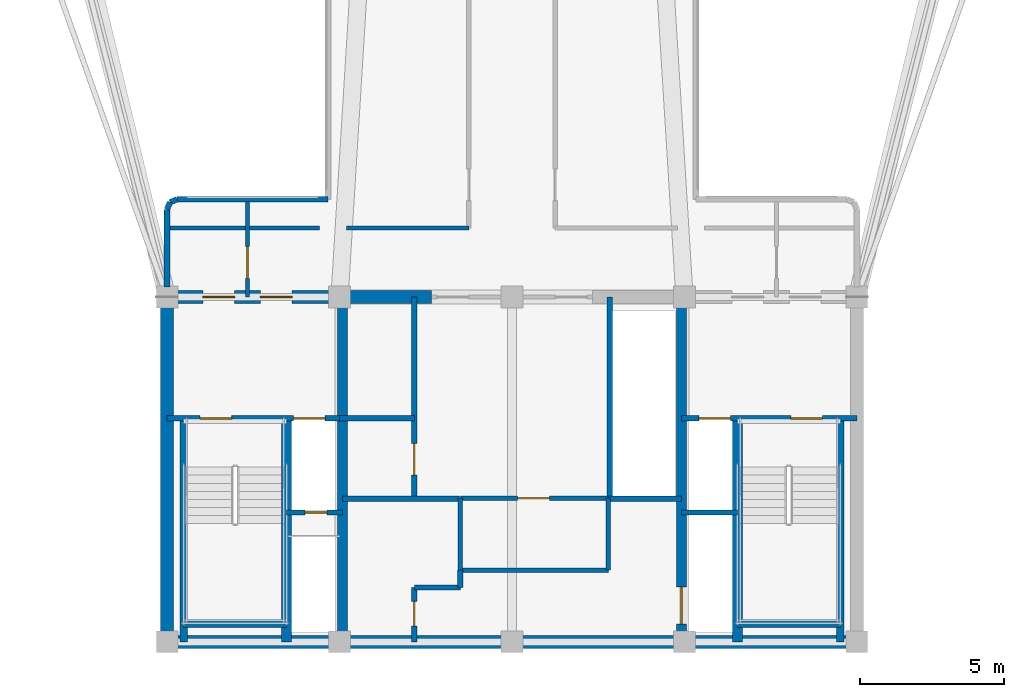
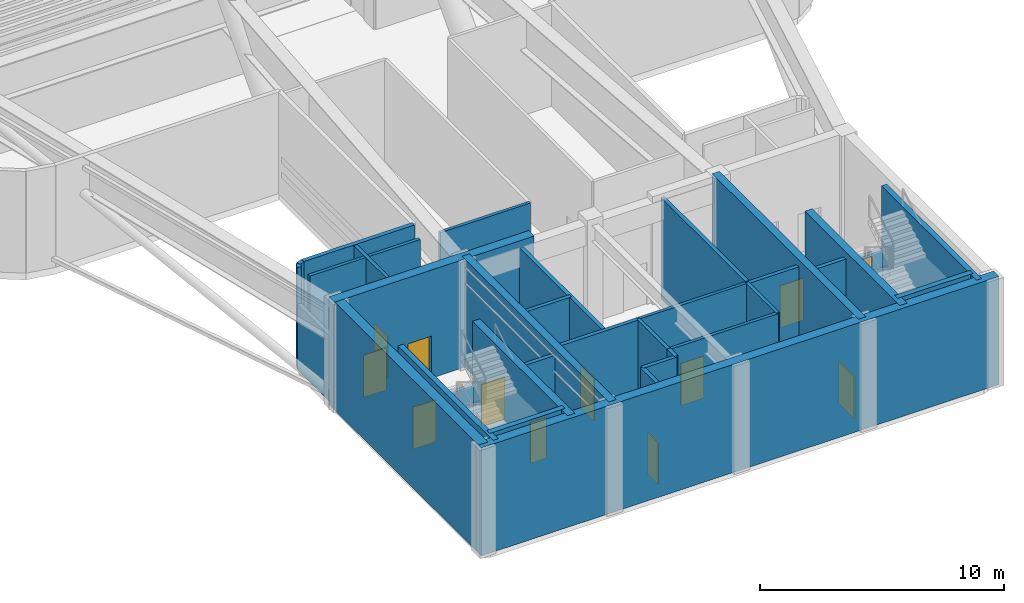
# One storey, part 5 of 11: 34 walls, 12 doors, 12 openings.
"""IFC4 building model written with IfcOpenShell, lengths in metres."""

from ifc_helpers import new_model, si_unit, direction, frame, frame_2d, origin, origin_2d, place, context, subcontext, project, spatial, rectangle, extrude, source, transform, mapped, material, layer, layer_set, type_object, element, fill, save


model = new_model("IFC4")

# Units and contexts
model_context = context("Model", 3, precision=1e-05, world=origin(), true_north=direction((0.0, 1.0)))
body_context = subcontext(model_context, "Body", "Model", "MODEL_VIEW")
ifc_project = project(units=[si_unit("LENGTHUNIT", "METRE"), si_unit("AREAUNIT", "SQUARE_METRE"), si_unit("VOLUMEUNIT", "CUBIC_METRE"), si_unit("PLANEANGLEUNIT", "RADIAN"), si_unit("MASSUNIT", "GRAM", prefix="KILO")], contexts=[model_context])

# Site, building, storey
site_placement = place(None, origin())
site = spatial("IfcSite", under=ifc_project, at=site_placement, CompositionType="ELEMENT")
building_placement = place(site_placement, origin())
building = spatial("IfcBuilding", under=site, at=building_placement, Name="Brelvock Crest Care Tower", CompositionType="ELEMENT")
storey_placement = place(building_placement, frame((0.0, 0.0, 213.1201171875)))
storey = spatial("IfcBuildingStorey", under=building, at=storey_placement, Name="L54", CompositionType="ELEMENT", Elevation=213.1201171875)

# Walls
ifc_material_1 = material(Name="Concrete S65 (65 MPa)", Category="concrete")
ifc_layer_1 = layer(ifc_material_1, 0.449951171875, Name="WL-CS3")
ifc_layer_set_1 = layer_set([ifc_layer_1], Name="Concrete S65 (65 MPa)")
wall_type_1 = type_object("IfcWallType", Name="WL-CS3", PredefinedType="SHEAR", material=ifc_layer_set_1)
wall_1_placement = place(storey_placement, frame((48.22509765625, 6.0, 0.0), z_axis=(0.0, 0.0, 1.0), x_axis=(-1.0, 0.0, 0.0)))
element("IfcWall", 1, at=wall_1_placement, inside=storey, type_object=wall_type_1, Name="L54 Core South Shear Wall", PredefinedType="SHEAR", context=body_context, shape_type="SweptSolid", body=[
    extrude(rectangle(XDim=24.4501953125, YDim=0.449951171875, at=frame_2d((12.22509765625, 0.0))), origin(), (0.0, 0.0, 1.0), 5.39990234375),
])
wall_2_placement = place(storey_placement, frame((24.0, 6.0, 0.0), z_axis=(0.0, 0.0, 1.0), x_axis=(0.0, 1.0, 0.0)))
element("IfcWall", 2, at=wall_2_placement, inside=storey, type_object=wall_type_1, Name="L54 Core West Shear Wall", PredefinedType="SHEAR", context=body_context, shape_type="SweptSolid", body=[
    extrude(rectangle(XDim=12.0, YDim=0.449951171875, at=frame_2d((6.0, 0.0))), origin(), (0.0, 0.0, 1.0), 5.39990234375),
])

# Wall, openings, doors
wall_3_placement = place(storey_placement, frame((23.77490234375, 18.0, 0.0), z_axis=(0.0, 0.0, 1.0), x_axis=(1.0, 0.0, 0.0)))
wall_3 = element("IfcWall", 3, at=wall_3_placement, inside=storey, type_object=wall_type_1, Name="L54 Core North-West Shear Wall", PredefinedType="SHEAR", context=body_context, shape_type="SweptSolid", body=[
    extrude(rectangle(XDim=9.425048828125, YDim=0.449951171875, at=frame_2d((4.71240234375, 0.0))), origin(), (0.0, 0.0, 1.0), 5.39990234375),
])
opening_1_placement = place(wall_3_placement, frame((1.47509765625, 0.0, 0.0)))
opening_1 = element("IfcOpeningElement", 4, at=opening_1_placement, cuts=wall_3, Name="Opening FD-1", PredefinedType="OPENING", context=body_context, shape_type="SweptSolid", body=[
    extrude(rectangle(XDim=1.10009765625, YDim=2.10009765625, at=origin_2d()), frame((0.550048828125, 0.23486328125, 1.050048828125), z_axis=(0.0, -1.0, 0.0), x_axis=(1.0, 0.0, 0.0)), (0.0, 0.0, 1.0), 0.469970703125),
])
opening_2_placement = place(wall_3_placement, frame((3.47509765625, 0.0, 0.0)))
opening_2 = element("IfcOpeningElement", 5, at=opening_2_placement, cuts=wall_3, Name="Opening FD-1", PredefinedType="OPENING", context=body_context, shape_type="SweptSolid", body=[
    extrude(rectangle(XDim=1.10009765625, YDim=2.10009765625, at=origin_2d()), frame((0.550048828125, 0.23486328125, 1.050048828125), z_axis=(0.0, -1.0, 0.0), x_axis=(1.0, 0.0, 0.0)), (0.0, 0.0, 1.0), 0.469970703125),
])
ifc_material_2 = material(Name="Steel Grade 350", Category="steel")
door_type_1 = type_object("IfcDoorType", Name="DR-FFL1", OperationType="NOTDEFINED", PredefinedType="DOOR", material=ifc_material_2)
shared_shape_1 = source(origin(), body_context, "Body", "SweptSolid", [
    extrude(rectangle(XDim=1.10009765625, YDim=2.10009765625, at=origin_2d()), frame((0.550048828125, 0.02490234375, 1.050048828125), z_axis=(0.0, -1.0, 0.0), x_axis=(1.0, 0.0, 0.0)), (0.0, 0.0, 1.0), 0.050048828125),
])
door_1_placement = place(opening_1_placement, origin())
door_1 = element("IfcDoor", 6, at=door_1_placement, inside=storey, type_object=door_type_1, Name="L54 Firefighting Lobby FFL-1 Refuge Door", OperationType="SINGLE_SWING_LEFT", OverallHeight=2.10009765625, OverallWidth=1.10009765625, PredefinedType="DOOR", context=body_context, shape_type="MappedRepresentation", body=[
    mapped(shared_shape_1, transform((0.0, 0.0, 0.0), x_axis=(1.0, 0.0, 0.0), y_axis=(0.0, 1.0, 0.0), z_axis=(0.0, 0.0, 1.0), scale=1.0)),
])
fill(opening_1, door_1)
door_2_placement = place(opening_2_placement, origin())
door_2 = element("IfcDoor", 7, at=door_2_placement, inside=storey, type_object=door_type_1, Name="L54 Firefighting Lobby FFL-1 Corridor Exit Door", OperationType="SINGLE_SWING_RIGHT", OverallHeight=2.10009765625, OverallWidth=1.10009765625, PredefinedType="DOOR", context=body_context, shape_type="MappedRepresentation", body=[
    mapped(shared_shape_1, transform((0.0, 0.0, 0.0), x_axis=(1.0, 0.0, 0.0), y_axis=(0.0, 1.0, 0.0), z_axis=(0.0, 0.0, 1.0), scale=1.0)),
])
fill(opening_2, door_2)

# Wall
ifc_material_3 = material(Name="Concrete S80 (80 MPa)", Category="concrete")
ifc_layer_2 = layer(ifc_material_3, 0.35009765625, Name="WL-CS5")
ifc_layer_set_2 = layer_set([ifc_layer_2], Name="Concrete S80 (80 MPa)")
wall_type_2 = type_object("IfcWallType", Name="WL-CS5", PredefinedType="SHEAR", material=ifc_layer_set_2)
wall_4_placement = place(storey_placement, frame((30.10009765625, 6.0, 0.0), z_axis=(0.0, 0.0, 1.0), x_axis=(0.0, 1.0, 0.0)))
element("IfcWall", 8, at=wall_4_placement, inside=storey, type_object=wall_type_2, Name="L54 Core Internal Web Wall West", PredefinedType="SHEAR", context=body_context, shape_type="SweptSolid", body=[
    extrude(rectangle(XDim=12.0, YDim=0.35009765625, at=frame_2d((6.0, 0.0))), origin(), (0.0, 0.0, 1.0), 5.39990234375),
])

# Wall, opening, door
wall_5_placement = place(storey_placement, frame((41.89990234375, 18.0, 0.0), z_axis=(0.0, 0.0, 1.0), x_axis=(0.0, -1.0, 0.0)))
wall_5 = element("IfcWall", 9, at=wall_5_placement, inside=storey, type_object=wall_type_2, Name="L54 Core Internal Web Wall East", PredefinedType="SHEAR", context=body_context, shape_type="SweptSolid", body=[
    extrude(rectangle(XDim=12.0, YDim=0.35009765625, at=frame_2d((6.0, 0.0))), origin(), (0.0, 0.0, 1.0), 5.39990234375),
])
opening_3_placement = place(wall_5_placement, frame((10.080078125, 0.0, 0.0)))
opening_3 = element("IfcOpeningElement", 10, at=opening_3_placement, cuts=wall_5, Name="Opening LD-S", PredefinedType="OPENING", context=body_context, shape_type="SweptSolid", body=[
    extrude(rectangle(XDim=1.300048828125, YDim=2.10009765625, at=origin_2d()), frame((0.64990234375, 0.18505859375, 1.050048828125), z_axis=(0.0, -1.0, 0.0), x_axis=(1.0, 0.0, 0.0)), (0.0, 0.0, 1.0), 0.3701171875),
])
door_type_2 = type_object("IfcDoorType", Name="DR-LDS1", OperationType="NOTDEFINED", PredefinedType="DOOR", material=ifc_material_2)
shared_shape_2 = source(origin(), body_context, "Body", "SweptSolid", [
    extrude(rectangle(XDim=1.300048828125, YDim=2.10009765625, at=origin_2d()), frame((0.64990234375, 0.02490234375, 1.050048828125), z_axis=(0.0, -1.0, 0.0), x_axis=(1.0, 0.0, 0.0)), (0.0, 0.0, 1.0), 0.050048828125),
])
door_3_placement = place(opening_3_placement, origin())
door_3 = element("IfcDoor", 11, at=door_3_placement, inside=storey, type_object=door_type_2, Name="L54 Clinical Bed Lift SL-1 Landing Door", OperationType="SLIDING_TO_LEFT", OverallHeight=2.10009765625, OverallWidth=1.300048828125, PredefinedType="DOOR", context=body_context, shape_type="MappedRepresentation", body=[
    mapped(shared_shape_2, transform((0.0, 0.0, 0.0), x_axis=(1.0, 0.0, 0.0), y_axis=(0.0, 1.0, 0.0), z_axis=(0.0, 0.0, 1.0), scale=1.0)),
])
fill(opening_3, door_3)

# Walls
for number, where, z_axis, x_axis, name in (
    (12, (28.14990234375, 6.0, 0.0), (0.0, 0.0, 1.0), (0.0, 1.0, 0.0), "L54 Core Stair ST-1 East Shear Wall"),
    (13, (43.85009765625, 6.0, 0.0), (0.0, 0.0, 1.0), (0.0, 1.0, 0.0), "L54 Core Stair ST-2 West Shear Wall"),
):
    element("IfcWall", number, at=place(storey_placement, frame(where, z_axis=z_axis, x_axis=x_axis)), inside=storey, type_object=wall_type_2, Name=name, PredefinedType="SHEAR", context=body_context, shape_type="SweptSolid", body=[
        extrude(rectangle(XDim=7.780029296875, YDim=0.35009765625, at=frame_2d((3.89013671875, 0.0))), origin(), (0.0, 0.0, 1.0), 5.39990234375),
    ])
ifc_layer_3 = layer(ifc_material_3, 0.25, Name="WL-CS6")
ifc_layer_set_3 = layer_set([ifc_layer_3], Name="Concrete S80 (80 MPa)")
wall_type_3 = type_object("IfcWallType", Name="WL-CS6", PredefinedType="SHEAR", material=ifc_layer_set_3)
wall_6_placement = place(storey_placement, frame((24.580078125, 6.0, 0.0), z_axis=(0.0, 0.0, 1.0), x_axis=(0.0, 1.0, 0.0)))
element("IfcWall", 14, at=wall_6_placement, inside=storey, type_object=wall_type_3, Name="L54 Core Stair ST-1 West Shear Wall", PredefinedType="SHEAR", context=body_context, shape_type="SweptSolid", body=[
    extrude(rectangle(XDim=7.780029296875, YDim=0.25, at=frame_2d((3.89013671875, 0.0))), origin(), (0.0, 0.0, 1.0), 5.39990234375),
])
wall_7_placement = place(storey_placement, frame((24.580078125, 6.6201171875, 0.0), z_axis=(0.0, 0.0, 1.0), x_axis=(1.0, 0.0, 0.0)))
element("IfcWall", 15, at=wall_7_placement, inside=storey, type_object=wall_type_3, Name="L54 Core Stair ST-1 South Shear Wall", PredefinedType="SHEAR", context=body_context, shape_type="SweptSolid", body=[
    extrude(rectangle(XDim=3.56982421875, YDim=0.25, at=frame_2d((1.784912109375, 0.0))), origin(), (0.0, 0.0, 1.0), 5.39990234375),
])
wall_8_placement = place(storey_placement, frame((47.419921875, 6.0, 0.0), z_axis=(0.0, 0.0, 1.0), x_axis=(0.0, 1.0, 0.0)))
element("IfcWall", 16, at=wall_8_placement, inside=storey, type_object=wall_type_3, Name="L54 Core Stair ST-2 East Shear Wall", PredefinedType="SHEAR", context=body_context, shape_type="SweptSolid", body=[
    extrude(rectangle(XDim=7.780029296875, YDim=0.25, at=frame_2d((3.89013671875, 0.0))), origin(), (0.0, 0.0, 1.0), 5.39990234375),
])
wall_9_placement = place(storey_placement, frame((43.85009765625, 6.6201171875, 0.0), z_axis=(0.0, 0.0, 1.0), x_axis=(1.0, 0.0, 0.0)))
element("IfcWall", 17, at=wall_9_placement, inside=storey, type_object=wall_type_3, Name="L54 Core Stair ST-2 South Shear Wall", PredefinedType="SHEAR", context=body_context, shape_type="SweptSolid", body=[
    extrude(rectangle(XDim=3.56982421875, YDim=0.25, at=frame_2d((1.784912109375, 0.0))), origin(), (0.0, 0.0, 1.0), 5.39990234375),
])
ifc_material_4 = material(Name="Precast concrete N40 (40 MPa)", Category="concrete")
ifc_layer_4 = layer(ifc_material_4, 0.195068359375, Name="WL-EX3")
ifc_layer_set_4 = layer_set([ifc_layer_4], Name="Precast concrete N40 (40 MPa)")
wall_type_4 = type_object("IfcWallType", Name="WL-EX3", PredefinedType="SOLIDWALL", material=ifc_layer_set_4)
wall_10_placement = place(storey_placement, frame((24.0, 18.35498046875, 0.0), z_axis=(0.0, 0.0, 1.0), x_axis=(0.0, 1.0, 0.0)))
element("IfcWall", 18, at=wall_10_placement, inside=storey, type_object=wall_type_4, Name="L54 Crown and Plant Cladding Wall 07", PredefinedType="SOLIDWALL", context=body_context, shape_type="SweptSolid", body=[
    extrude(rectangle(XDim=2.695068359375, YDim=0.195068359375, at=frame_2d((1.34765625, 0.0))), origin(), (0.0, 0.0, 1.0), 3.267822265625),
])
wall_11_placement = place(storey_placement, frame((24.0, 21.050048828125, 0.0), z_axis=(0.0, 0.0, 1.0), x_axis=(0.382673670509, 0.923883575944, 0.0)))
element("IfcWall", 19, at=wall_11_placement, inside=storey, type_object=wall_type_4, Name="L54 Crown and Plant Cladding Wall 08", PredefinedType="SOLIDWALL", context=body_context, shape_type="SweptSolid", body=[
    extrude(rectangle(XDim=0.26806640625, YDim=0.195068359375, at=frame_2d((0.134033203125, 0.0))), origin(), (0.0, 0.0, 1.0), 5.079833984375),
])
wall_12_placement = place(storey_placement, frame((24.1025390625, 21.297607421875, 0.0), z_axis=(0.0, 0.0, 1.0), x_axis=(0.924205486139, 0.381895560841, 0.0)))
element("IfcWall", 20, at=wall_12_placement, inside=storey, type_object=wall_type_4, Name="L54 Crown and Plant Cladding Wall 09", PredefinedType="SOLIDWALL", context=body_context, shape_type="SweptSolid", body=[
    extrude(rectangle(XDim=0.267822265625, YDim=0.195068359375, at=frame_2d((0.1337890625, 0.0))), origin(), (0.0, 0.0, 1.0), 5.079833984375),
])
wall_13_placement = place(storey_placement, frame((24.35009765625, 21.39990234375, 0.0), z_axis=(0.0, 0.0, 1.0), x_axis=(1.0, 0.0, 0.0)))
element("IfcWall", 21, at=wall_13_placement, inside=storey, type_object=wall_type_4, Name="L54 Crown and Plant Cladding Wall 10", PredefinedType="SOLIDWALL", context=body_context, shape_type="SweptSolid", body=[
    extrude(rectangle(XDim=5.25, YDim=0.195068359375, at=frame_2d((2.625, 0.0))), origin(), (0.0, 0.0, 1.0), 5.079833984375),
])
ifc_material_5 = material(Name="Masonry Blockwork Acoustic Partition", Category="masonry")
ifc_layer_5 = layer(ifc_material_5, 0.14990234375, Name="WL-INT1")
ifc_layer_set_5 = layer_set([ifc_layer_5], Name="Masonry Blockwork Acoustic Partition")
wall_type_5 = type_object("IfcWallType", Name="WL-INT1", PredefinedType="PARTITIONING", material=ifc_layer_set_5)
wall_14_placement = place(storey_placement, frame((34.199951171875, 8.5, 0.0), z_axis=(0.0, 0.0, 1.0), x_axis=(1.0, 0.0, 0.0)))
element("IfcWall", 22, at=wall_14_placement, inside=storey, type_object=wall_type_5, Name="L54 Interior Wall WL-CRCM-S-L54", PredefinedType="PARTITIONING", context=body_context, shape_type="SweptSolid", body=[
    extrude(rectangle(XDim=5.150146484375, YDim=0.14990234375, at=frame_2d((2.5751953125, 0.0))), origin(), (0.0, 0.0, 1.0), 5.0498046875),
])
for number, where, z_axis, x_axis, name in (
    (23, (34.199951171875, 8.5, 0.0), (0.0, 0.0, 1.0), (0.0, 1.0, 0.0), "L54 Interior Wall WL-CRCM-W-L54"),
    (24, (39.35009765625, 8.5, 0.0), (0.0, 0.0, 1.0), (0.0, 1.0, 0.0), "L54 Interior Wall WL-CRCM-E-L54"),
):
    element("IfcWall", number, at=place(storey_placement, frame(where, z_axis=z_axis, x_axis=x_axis)), inside=storey, type_object=wall_type_5, Name=name, PredefinedType="PARTITIONING", context=body_context, shape_type="SweptSolid", body=[
        extrude(rectangle(XDim=2.5, YDim=0.14990234375, at=frame_2d((1.25, 0.0))), origin(), (0.0, 0.0, 1.0), 5.0498046875),
    ])

# Wall, opening, door
wall_15_placement = place(storey_placement, frame((34.199951171875, 11.0, 0.0), z_axis=(0.0, 0.0, 1.0), x_axis=(1.0, 0.0, 0.0)))
wall_15 = element("IfcWall", 25, at=wall_15_placement, inside=storey, type_object=wall_type_5, Name="L54 Interior Wall WL-CRCM-N-L54", PredefinedType="PARTITIONING", context=body_context, shape_type="SweptSolid", body=[
    extrude(rectangle(XDim=5.150146484375, YDim=0.14990234375, at=frame_2d((2.5751953125, 0.0))), origin(), (0.0, 0.0, 1.0), 5.0498046875),
])
opening_4_placement = place(wall_15_placement, frame((2.0, 0.0, 0.0)))
opening_4 = element("IfcOpeningElement", 26, at=opening_4_placement, cuts=wall_15, Name="Opening PD-1", PredefinedType="OPENING", context=body_context, shape_type="SweptSolid", body=[
    extrude(rectangle(XDim=1.10009765625, YDim=2.10009765625, at=origin_2d()), frame((0.550048828125, 0.0849609375, 1.050048828125), z_axis=(0.0, -1.0, 0.0), x_axis=(1.0, 0.0, 0.0)), (0.0, 0.0, 1.0), 0.169921875),
])
door_type_3 = type_object("IfcDoorType", Name="DR-PLT1", OperationType="NOTDEFINED", PredefinedType="DOOR", material=ifc_material_2)
shared_shape_3 = source(origin(), body_context, "Body", "SweptSolid", [
    extrude(rectangle(XDim=1.10009765625, YDim=2.10009765625, at=origin_2d()), frame((0.550048828125, 0.02490234375, 1.050048828125), z_axis=(0.0, -1.0, 0.0), x_axis=(1.0, 0.0, 0.0)), (0.0, 0.0, 1.0), 0.050048828125),
])
door_4_placement = place(opening_4_placement, origin())
door_4 = element("IfcDoor", 27, at=door_4_placement, inside=storey, type_object=door_type_3, Name="DR-CRCM1-L54", OperationType="SINGLE_SWING_LEFT", OverallHeight=2.10009765625, OverallWidth=1.10009765625, PredefinedType="DOOR", context=body_context, shape_type="MappedRepresentation", body=[
    mapped(shared_shape_3, transform((0.0, 0.0, 0.0), x_axis=(1.0, 0.0, 0.0), y_axis=(0.0, 1.0, 0.0), z_axis=(0.0, 0.0, 1.0), scale=1.0)),
])
fill(opening_4, door_4)

# Walls
wall_16_placement = place(storey_placement, frame((24.080078125, 20.39990234375, 0.0), z_axis=(0.0, 0.0, 1.0), x_axis=(1.0, 0.0, 0.0)))
element("IfcWall", 28, at=wall_16_placement, inside=storey, type_object=wall_type_5, Name="L54 Interior Wall WL-BX-L54-REFW-N", PredefinedType="PARTITIONING", context=body_context, shape_type="SweptSolid", body=[
    extrude(rectangle(XDim=5.219970703125, YDim=0.14990234375, at=frame_2d((2.60986328125, 0.0))), origin(), (0.0, 0.0, 1.0), 5.0498046875),
])
wall_17_placement = place(storey_placement, frame((30.25, 20.39990234375, 0.0), z_axis=(0.0, 0.0, 1.0), x_axis=(1.0, 0.0, 0.0)))
element("IfcWall", 29, at=wall_17_placement, inside=storey, type_object=wall_type_5, Name="L54 Interior Wall WL-BX-L54-REFNW-S", PredefinedType="PARTITIONING", context=body_context, shape_type="SweptSolid", body=[
    extrude(rectangle(XDim=4.25, YDim=0.14990234375, at=frame_2d((2.125, 0.0))), origin(), (0.0, 0.0, 1.0), 5.0498046875),
])

# Wall, opening, door
wall_18_placement = place(storey_placement, frame((26.800048828125, 18.0, 0.0), z_axis=(0.0, 0.0, 1.0), x_axis=(0.0, 1.0, 0.0)))
wall_18 = element("IfcWall", 30, at=wall_18_placement, inside=storey, type_object=wall_type_5, Name="L54 Interior Wall WL-RM-L54-REFW", PredefinedType="PARTITIONING", context=body_context, shape_type="SweptSolid", body=[
    extrude(rectangle(XDim=3.320068359375, YDim=0.14990234375, at=frame_2d((1.66015625, 0.0))), origin(), (0.0, 0.0, 1.0), 5.0498046875),
])
opening_5_placement = place(wall_18_placement, frame((0.64990234375, 0.0, 0.0)))
opening_5 = element("IfcOpeningElement", 31, at=opening_5_placement, cuts=wall_18, Name="Opening PD-1", PredefinedType="OPENING", context=body_context, shape_type="SweptSolid", body=[
    extrude(rectangle(XDim=1.10009765625, YDim=2.10009765625, at=origin_2d()), frame((0.550048828125, 0.0849609375, 1.050048828125), z_axis=(0.0, -1.0, 0.0), x_axis=(1.0, 0.0, 0.0)), (0.0, 0.0, 1.0), 0.169921875),
])
door_5_placement = place(opening_5_placement, origin())
door_5 = element("IfcDoor", 32, at=door_5_placement, inside=storey, type_object=door_type_3, Name="L54 Protected Fire Refuge Area West REFW Door REFW", OperationType="SINGLE_SWING_LEFT", OverallHeight=2.10009765625, OverallWidth=1.10009765625, PredefinedType="DOOR", context=body_context, shape_type="MappedRepresentation", body=[
    mapped(shared_shape_3, transform((0.0, 0.0, 0.0), x_axis=(1.0, 0.0, 0.0), y_axis=(0.0, 1.0, 0.0), z_axis=(0.0, 0.0, 1.0), scale=1.0)),
])
fill(opening_5, door_5)

# Wall
ifc_layer_6 = layer(ifc_material_5, 0.179931640625, Name="WL-SHF1")
ifc_layer_set_6 = layer_set([ifc_layer_6], Name="Masonry Blockwork Acoustic Partition")
wall_type_6 = type_object("IfcWallType", Name="WL-SHF1", PredefinedType="PARTITIONING", material=ifc_layer_set_6)
wall_19_placement = place(storey_placement, frame((30.0, 13.780029296875, 0.0), z_axis=(0.0, 0.0, 1.0), x_axis=(1.0, 0.0, 0.0)))
element("IfcWall", 33, at=wall_19_placement, inside=storey, type_object=wall_type_6, Name="L54 Interior Wall WL-CRCL-N-L54", PredefinedType="PARTITIONING", context=body_context, shape_type="SweptSolid", body=[
    extrude(rectangle(XDim=2.60009765625, YDim=0.179931640625, at=frame_2d((1.300048828125, 0.0))), origin(), (0.0, 0.0, 1.0), 5.0498046875),
])

# Wall, opening, door
wall_20_placement = place(storey_placement, frame((32.60009765625, 11.0, 0.0), z_axis=(0.0, 0.0, 1.0), x_axis=(0.0, 1.0, 0.0)))
wall_20 = element("IfcWall", 34, at=wall_20_placement, inside=storey, type_object=wall_type_6, Name="L54 Interior Wall WL-CRCL-E-L54", PredefinedType="PARTITIONING", context=body_context, shape_type="SweptSolid", body=[
    extrude(rectangle(XDim=7.0, YDim=0.179931640625, at=frame_2d((3.5, 0.0))), origin(), (0.0, 0.0, 1.0), 5.0498046875),
])
opening_6_placement = place(wall_20_placement, frame((0.800048828125, 0.0, 0.0)))
opening_6 = element("IfcOpeningElement", 35, at=opening_6_placement, cuts=wall_20, Name="Opening PD-1", PredefinedType="OPENING", context=body_context, shape_type="SweptSolid", body=[
    extrude(rectangle(XDim=1.10009765625, YDim=2.10009765625, at=origin_2d()), frame((0.550048828125, 0.10009765625, 1.050048828125), z_axis=(0.0, -1.0, 0.0), x_axis=(1.0, 0.0, 0.0)), (0.0, 0.0, 1.0), 0.199951171875),
])
door_6_placement = place(opening_6_placement, origin())
door_6 = element("IfcDoor", 36, at=door_6_placement, inside=storey, type_object=door_type_3, Name="DR-CRCL1-L54", OperationType="SINGLE_SWING_LEFT", OverallHeight=2.10009765625, OverallWidth=1.10009765625, PredefinedType="DOOR", context=body_context, shape_type="MappedRepresentation", body=[
    mapped(shared_shape_3, transform((0.0, 0.0, 0.0), x_axis=(1.0, 0.0, 0.0), y_axis=(0.0, 1.0, 0.0), z_axis=(0.0, 0.0, 1.0), scale=1.0)),
])
fill(opening_6, door_6)

# Walls
wall_21_placement = place(storey_placement, frame((39.39990234375, 11.0, 0.0), z_axis=(0.0, 0.0, 1.0), x_axis=(0.0, 1.0, 0.0)))
element("IfcWall", 37, at=wall_21_placement, inside=storey, type_object=wall_type_6, Name="L54 Interior Wall WL-PLH-SHF-L54", PredefinedType="PARTITIONING", context=body_context, shape_type="SweptSolid", body=[
    extrude(rectangle(XDim=7.0, YDim=0.179931640625, at=frame_2d((3.5, 0.0))), origin(), (0.0, 0.0, 1.0), 5.0498046875),
])
wall_22_placement = place(storey_placement, frame((30.10009765625, 10.97998046875, 0.0), z_axis=(0.0, 0.0, 1.0), x_axis=(1.0, 0.0, 0.0)))
element("IfcWall", 38, at=wall_22_placement, inside=storey, type_object=wall_type_6, Name="L54 Interior Wall WL-CSBW-N-L54", PredefinedType="PARTITIONING", context=body_context, shape_type="SweptSolid", body=[
    extrude(rectangle(XDim=4.079833984375, YDim=0.179931640625, at=frame_2d((2.0400390625, 0.0))), origin(), (0.0, 0.0, 1.0), 5.0498046875),
])
wall_23_placement = place(storey_placement, frame((34.199951171875, 7.89990234375, 0.0), z_axis=(0.0, 0.0, 1.0), x_axis=(0.0, 1.0, 0.0)))
element("IfcWall", 39, at=wall_23_placement, inside=storey, type_object=wall_type_6, Name="L54 Interior Wall WL-CSBW-E2-L54", PredefinedType="PARTITIONING", context=body_context, shape_type="SweptSolid", body=[
    extrude(rectangle(XDim=0.60009765625, YDim=0.179931640625, at=frame_2d((0.300048828125, 0.0))), origin(), (0.0, 0.0, 1.0), 5.0498046875),
])
wall_24_placement = place(storey_placement, frame((32.60009765625, 7.89990234375, 0.0), z_axis=(0.0, 0.0, 1.0), x_axis=(1.0, 0.0, 0.0)))
element("IfcWall", 40, at=wall_24_placement, inside=storey, type_object=wall_type_6, Name="L54 Interior Wall WL-CSBW-S2-L54", PredefinedType="PARTITIONING", context=body_context, shape_type="SweptSolid", body=[
    extrude(rectangle(XDim=1.599853515625, YDim=0.179931640625, at=frame_2d((0.7998046875, 0.0))), origin(), (0.0, 0.0, 1.0), 5.0498046875),
])

# Wall, opening, door
wall_25_placement = place(storey_placement, frame((32.60009765625, 6.0, 0.0), z_axis=(0.0, 0.0, 1.0), x_axis=(0.0, 1.0, 0.0)))
wall_25 = element("IfcWall", 41, at=wall_25_placement, inside=storey, type_object=wall_type_6, Name="L54 Interior Wall WL-CSBW-E1-L54", PredefinedType="PARTITIONING", context=body_context, shape_type="SweptSolid", body=[
    extrude(rectangle(XDim=1.89990234375, YDim=0.179931640625, at=frame_2d((0.949951171875, 0.0))), origin(), (0.0, 0.0, 1.0), 5.0498046875),
])
opening_7_placement = place(wall_25_placement, frame((0.550048828125, 0.0, 0.0)))
opening_7 = element("IfcOpeningElement", 42, at=opening_7_placement, cuts=wall_25, Name="Opening ID-1", PredefinedType="OPENING", context=body_context, shape_type="SweptSolid", body=[
    extrude(rectangle(XDim=0.860107421875, YDim=2.10009765625, at=origin_2d()), frame((0.43017578125, 0.10009765625, 1.050048828125), z_axis=(0.0, -1.0, 0.0), x_axis=(1.0, 0.0, 0.0)), (0.0, 0.0, 1.0), 0.199951171875),
])
ifc_material_6 = material(Name="Engineered Hardwood Timber", Category="wood")
door_type_4 = type_object("IfcDoorType", Name="DR-INT1", OperationType="NOTDEFINED", PredefinedType="DOOR", material=ifc_material_6)
shared_shape_4 = source(origin(), body_context, "Body", "SweptSolid", [
    extrude(rectangle(XDim=0.860107421875, YDim=2.10009765625, at=origin_2d()), frame((0.43017578125, 0.02490234375, 1.050048828125), z_axis=(0.0, -1.0, 0.0), x_axis=(1.0, 0.0, 0.0)), (0.0, 0.0, 1.0), 0.050048828125),
])
door_7_placement = place(opening_7_placement, origin())
door_7 = element("IfcDoor", 43, at=door_7_placement, inside=storey, type_object=door_type_4, Name="DR-CSBW-L54", OperationType="SINGLE_SWING_LEFT", OverallHeight=2.10009765625, OverallWidth=0.860107421875, PredefinedType="DOOR", context=body_context, shape_type="MappedRepresentation", body=[
    mapped(shared_shape_4, transform((0.0, 0.0, 0.0), x_axis=(1.0, 0.0, 0.0), y_axis=(0.0, 1.0, 0.0), z_axis=(0.0, 0.0, 1.0), scale=1.0)),
])
fill(opening_7, door_7)

# Wall
wall_26_placement = place(storey_placement, frame((39.35009765625, 10.97998046875, 0.0), z_axis=(0.0, 0.0, 1.0), x_axis=(1.0, 0.0, 0.0)))
element("IfcWall", 44, at=wall_26_placement, inside=storey, type_object=wall_type_6, Name="L54 Interior Wall WL-CSBE-N-L54", PredefinedType="PARTITIONING", context=body_context, shape_type="SweptSolid", body=[
    extrude(rectangle(XDim=2.5498046875, YDim=0.179931640625, at=frame_2d((1.27490234375, 0.0))), origin(), (0.0, 0.0, 1.0), 5.0498046875),
])

# Wall, openings, doors
wall_27_placement = place(storey_placement, frame((24.0, 13.780029296875, 0.0), z_axis=(0.0, 0.0, 1.0), x_axis=(1.0, 0.0, 0.0)))
wall_27 = element("IfcWall", 45, at=wall_27_placement, inside=storey, type_object=wall_type_6, Name="L54 Interior Wall WL-ST1-N-L54", PredefinedType="PARTITIONING", context=body_context, shape_type="SweptSolid", body=[
    extrude(rectangle(XDim=6.10009765625, YDim=0.179931640625, at=frame_2d((3.050048828125, 0.0))), origin(), (0.0, 0.0, 1.0), 2.22900390625),
])
opening_8_placement = place(wall_27_placement, frame((1.14990234375, 0.0, 0.0)))
opening_8 = element("IfcOpeningElement", 46, at=opening_8_placement, cuts=wall_27, Name="Opening SD-1", PredefinedType="OPENING", context=body_context, shape_type="SweptSolid", body=[
    extrude(rectangle(XDim=1.10009765625, YDim=2.10009765625, at=origin_2d()), frame((0.550048828125, 0.10009765625, 1.050048828125), z_axis=(0.0, -1.0, 0.0), x_axis=(1.0, 0.0, 0.0)), (0.0, 0.0, 1.0), 0.199951171875),
])
opening_9_placement = place(wall_27_placement, frame((4.39990234375, 0.0, 0.0)))
opening_9 = element("IfcOpeningElement", 47, at=opening_9_placement, cuts=wall_27, Name="Opening LD", PredefinedType="OPENING", context=body_context, shape_type="SweptSolid", body=[
    extrude(rectangle(XDim=1.10009765625, YDim=2.10009765625, at=origin_2d()), frame((0.550048828125, 0.10009765625, 1.050048828125), z_axis=(0.0, -1.0, 0.0), x_axis=(1.0, 0.0, 0.0)), (0.0, 0.0, 1.0), 0.199951171875),
])
door_type_5 = type_object("IfcDoorType", Name="DR-ST1", OperationType="NOTDEFINED", PredefinedType="DOOR", material=ifc_material_2)
shared_shape_5 = source(origin(), body_context, "Body", "SweptSolid", [
    extrude(rectangle(XDim=1.10009765625, YDim=2.10009765625, at=origin_2d()), frame((0.550048828125, 0.02490234375, 1.050048828125), z_axis=(0.0, -1.0, 0.0), x_axis=(1.0, 0.0, 0.0)), (0.0, 0.0, 1.0), 0.050048828125),
])
door_8_placement = place(opening_8_placement, origin())
door_8 = element("IfcDoor", 48, at=door_8_placement, inside=storey, type_object=door_type_5, Name="L54 Fire Stair ST-1 Door", OperationType="SINGLE_SWING_LEFT", OverallHeight=2.10009765625, OverallWidth=1.10009765625, PredefinedType="DOOR", context=body_context, shape_type="MappedRepresentation", body=[
    mapped(shared_shape_5, transform((0.0, 0.0, 0.0), x_axis=(1.0, 0.0, 0.0), y_axis=(0.0, 1.0, 0.0), z_axis=(0.0, 0.0, 1.0), scale=1.0)),
])
fill(opening_8, door_8)
door_type_6 = type_object("IfcDoorType", Name="DR-LD1", OperationType="NOTDEFINED", PredefinedType="DOOR", material=ifc_material_2)
shared_shape_6 = source(origin(), body_context, "Body", "SweptSolid", [
    extrude(rectangle(XDim=1.10009765625, YDim=2.10009765625, at=origin_2d()), frame((0.550048828125, 0.02490234375, 1.050048828125), z_axis=(0.0, -1.0, 0.0), x_axis=(1.0, 0.0, 0.0)), (0.0, 0.0, 1.0), 0.050048828125),
])
door_9_placement = place(opening_9_placement, origin())
door_9 = element("IfcDoor", 49, at=door_9_placement, inside=storey, type_object=door_type_6, Name="L54 Firefighting Lift FFL-1 Landing Door", OperationType="SLIDING_TO_LEFT", OverallHeight=2.10009765625, OverallWidth=1.10009765625, PredefinedType="DOOR", context=body_context, shape_type="MappedRepresentation", body=[
    mapped(shared_shape_6, transform((0.0, 0.0, 0.0), x_axis=(1.0, 0.0, 0.0), y_axis=(0.0, 1.0, 0.0), z_axis=(0.0, 0.0, 1.0), scale=1.0)),
])
fill(opening_9, door_9)

# Wall, opening, door
wall_28_placement = place(storey_placement, frame((28.14990234375, 10.5, 0.0), z_axis=(0.0, 0.0, 1.0), x_axis=(1.0, 0.0, 0.0)))
wall_28 = element("IfcWall", 50, at=wall_28_placement, inside=storey, type_object=wall_type_6, Name="L54 Interior Wall WL-FFH1-S-L54", PredefinedType="PARTITIONING", context=body_context, shape_type="SweptSolid", body=[
    extrude(rectangle(XDim=1.9501953125, YDim=0.179931640625, at=frame_2d((0.97509765625, 0.0))), origin(), (0.0, 0.0, 1.0), 5.0498046875),
])
opening_10_placement = place(wall_28_placement, frame((0.64990234375, 0.0, 0.0)))
opening_10 = element("IfcOpeningElement", 51, at=opening_10_placement, cuts=wall_28, Name="Opening RD-1", PredefinedType="OPENING", context=body_context, shape_type="SweptSolid", body=[
    extrude(rectangle(XDim=0.760009765625, YDim=2.050048828125, at=origin_2d()), frame((0.3798828125, 0.10009765625, 1.02490234375), z_axis=(0.0, -1.0, 0.0), x_axis=(1.0, 0.0, 0.0)), (0.0, 0.0, 1.0), 0.199951171875),
])
door_type_7 = type_object("IfcDoorType", Name="DR-RIS1", OperationType="NOTDEFINED", PredefinedType="DOOR", material=ifc_material_2)
shared_shape_7 = source(origin(), body_context, "Body", "SweptSolid", [
    extrude(rectangle(XDim=0.760009765625, YDim=2.050048828125, at=origin_2d()), frame((0.3798828125, 0.02490234375, 1.02490234375), z_axis=(0.0, -1.0, 0.0), x_axis=(1.0, 0.0, 0.0)), (0.0, 0.0, 1.0), 0.050048828125),
])
door_10_placement = place(opening_10_placement, origin())
door_10 = element("IfcDoor", 52, at=door_10_placement, inside=storey, type_object=door_type_7, Name="L54 Wet Fire Riser Access Door", OperationType="SINGLE_SWING_LEFT", OverallHeight=2.050048828125, OverallWidth=0.760009765625, PredefinedType="DOOR", context=body_context, shape_type="MappedRepresentation", body=[
    mapped(shared_shape_7, transform((0.0, 0.0, 0.0), x_axis=(1.0, 0.0, 0.0), y_axis=(0.0, 1.0, 0.0), z_axis=(0.0, 0.0, 1.0), scale=1.0)),
])
fill(opening_10, door_10)

# Wall, openings, doors
wall_29_placement = place(storey_placement, frame((41.89990234375, 13.780029296875, 0.0), z_axis=(0.0, 0.0, 1.0), x_axis=(1.0, 0.0, 0.0)))
wall_29 = element("IfcWall", 53, at=wall_29_placement, inside=storey, type_object=wall_type_6, Name="L54 Interior Wall WL-ST2-N-L54", PredefinedType="PARTITIONING", context=body_context, shape_type="SweptSolid", body=[
    extrude(rectangle(XDim=6.10009765625, YDim=0.179931640625, at=frame_2d((3.050048828125, 0.0))), origin(), (0.0, 0.0, 1.0), 2.22900390625),
])
opening_11_placement = place(wall_29_placement, frame((0.60009765625, 0.0, 0.0)))
opening_11 = element("IfcOpeningElement", 54, at=opening_11_placement, cuts=wall_29, Name="Opening LD", PredefinedType="OPENING", context=body_context, shape_type="SweptSolid", body=[
    extrude(rectangle(XDim=1.10009765625, YDim=2.10009765625, at=origin_2d()), frame((0.550048828125, 0.10009765625, 1.050048828125), z_axis=(0.0, -1.0, 0.0), x_axis=(1.0, 0.0, 0.0)), (0.0, 0.0, 1.0), 0.199951171875),
])
opening_12_placement = place(wall_29_placement, frame((3.800048828125, 0.0, 0.0)))
opening_12 = element("IfcOpeningElement", 55, at=opening_12_placement, cuts=wall_29, Name="Opening SD-1", PredefinedType="OPENING", context=body_context, shape_type="SweptSolid", body=[
    extrude(rectangle(XDim=1.10009765625, YDim=2.10009765625, at=origin_2d()), frame((0.550048828125, 0.10009765625, 1.050048828125), z_axis=(0.0, -1.0, 0.0), x_axis=(1.0, 0.0, 0.0)), (0.0, 0.0, 1.0), 0.199951171875),
])
door_11_placement = place(opening_12_placement, origin())
door_11 = element("IfcDoor", 56, at=door_11_placement, inside=storey, type_object=door_type_5, Name="L54 Fire Stair ST-2 Door", OperationType="SINGLE_SWING_RIGHT", OverallHeight=2.10009765625, OverallWidth=1.10009765625, PredefinedType="DOOR", context=body_context, shape_type="MappedRepresentation", body=[
    mapped(shared_shape_5, transform((0.0, 0.0, 0.0), x_axis=(1.0, 0.0, 0.0), y_axis=(0.0, 1.0, 0.0), z_axis=(0.0, 0.0, 1.0), scale=1.0)),
])
fill(opening_12, door_11)
door_12_placement = place(opening_11_placement, origin())
door_12 = element("IfcDoor", 57, at=door_12_placement, inside=storey, type_object=door_type_6, Name="L54 Firefighting Lift FFL-2 Landing Door", OperationType="SLIDING_TO_RIGHT", OverallHeight=2.10009765625, OverallWidth=1.10009765625, PredefinedType="DOOR", context=body_context, shape_type="MappedRepresentation", body=[
    mapped(shared_shape_6, transform((0.0, 0.0, 0.0), x_axis=(1.0, 0.0, 0.0), y_axis=(0.0, 1.0, 0.0), z_axis=(0.0, 0.0, 1.0), scale=1.0)),
])
fill(opening_11, door_12)

# Wall
wall_30_placement = place(storey_placement, frame((41.89990234375, 10.5, 0.0), z_axis=(0.0, 0.0, 1.0), x_axis=(1.0, 0.0, 0.0)))
element("IfcWall", 58, at=wall_30_placement, inside=storey, type_object=wall_type_6, Name="L54 Interior Wall WL-FFH2-S-L54", PredefinedType="PARTITIONING", context=body_context, shape_type="SweptSolid", body=[
    extrude(rectangle(XDim=1.9501953125, YDim=0.179931640625, at=frame_2d((0.97509765625, 0.0))), origin(), (0.0, 0.0, 1.0), 5.0498046875),
])

save(model, "model.ifc")
